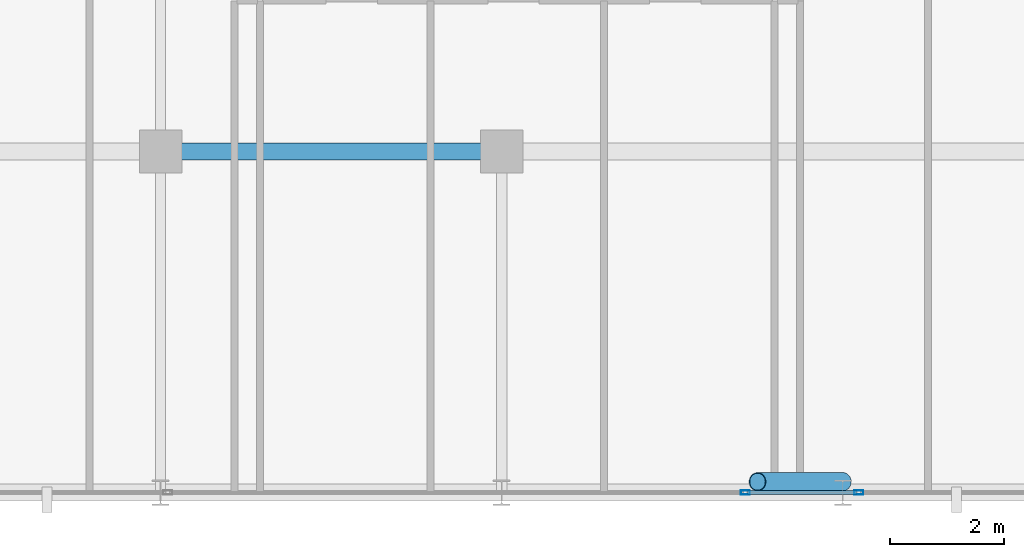
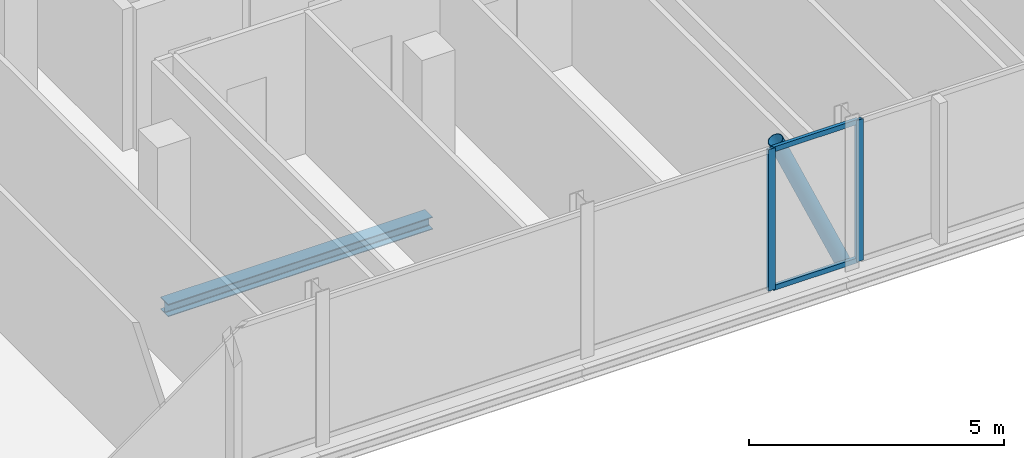
# One storey, part 10 of 29: 5 members, 1 beam, 2 elements without a shape of their own.
"""IFC4 building model written with IfcOpenShell, lengths in metres."""

from ifc_helpers import new_model, si_unit, direction, frame, origin, origin_2d, place, context, subcontext, project, spatial, hollow_rectangle, hollow_circle, i_section, extrude, material, layer, layer_set, material_profile, profile_set, type_object, element, aggregate, save


model = new_model("IFC4")

# Units and contexts
model_context = context("Model", 3, precision=1e-05, world=origin(), true_north=direction((0.0, 1.0)))
body_context = subcontext(model_context, "Body", "Model", "MODEL_VIEW")
ifc_project = project(units=[si_unit("LENGTHUNIT", "METRE"), si_unit("AREAUNIT", "SQUARE_METRE"), si_unit("VOLUMEUNIT", "CUBIC_METRE"), si_unit("PLANEANGLEUNIT", "RADIAN"), si_unit("MASSUNIT", "GRAM", prefix="KILO")], contexts=[model_context])

# Site, building, storey
site_placement = place(None, origin())
site = spatial("IfcSite", under=ifc_project, at=site_placement, CompositionType="ELEMENT")
building_placement = place(site_placement, origin())
building = spatial("IfcBuilding", under=site, at=building_placement, Name="Keshet Zoharim Tower", CompositionType="ELEMENT")
storey_placement = place(building_placement, frame((0.0, 0.0, 210.60009765625)))
storey = spatial("IfcBuildingStorey", under=building, at=storey_placement, Name="L52", CompositionType="ELEMENT", Elevation=210.60009765625)

# Beam
ifc_material_1 = material(Name="Steel S355", Category="steel")
ifc_material_profile_1 = material_profile(ifc_material_1, i_section(OverallWidth=0.300048828125, OverallDepth=0.300048828125, WebThickness=0.010986328125, FlangeThickness=0.01904296875, FilletRadius=0.027099609375, at=origin_2d()), Name="HEB300")
ifc_profile_set_1 = profile_set([ifc_material_profile_1], Name="Steel S355")
beam_type = type_object("IfcBeamType", Name="BM-PRI-HB300", PredefinedType="BEAM", material=ifc_profile_set_1)
beam_placement = place(storey_placement, frame((33.0, 6.699951171875, -0.460205078125), z_axis=(1.0, 0.0, 0.0), x_axis=(0.0, 1.0, 0.0)))
element("IfcBeam", 1, at=beam_placement, inside=storey, type_object=beam_type, Name="L52 Primary Girder X-007", PredefinedType="BEAM", context=body_context, shape_type="SweptSolid", body=[
    extrude(i_section(OverallWidth=0.300048828125, OverallDepth=0.300048828125, WebThickness=0.010986328125, FlangeThickness=0.01904296875, FilletRadius=0.027099609375, at=origin_2d()), origin(), (0.0, 0.0, 1.0), 6.0),
])

# Curtain wall, member
ifc_material_2 = material(Name="Aluminium 6063-T6", Category="aluminium")
ifc_layer = layer(ifc_material_2, 0.139892578125)
ifc_layer_set = layer_set([ifc_layer], Name="Aluminium 6063-T6")
curtain_wall_type = type_object("IfcCurtainWallType", Name="CW-SYS-05", PredefinedType="NOTDEFINED", material=ifc_layer_set)
curtain_wall_1_placement = place(storey_placement, origin())
curtain_wall_1 = element("IfcCurtainWall", 2, at=curtain_wall_1_placement, inside=storey, type_object=curtain_wall_type, Name="L52 Unitised Curtain Wall 06", PredefinedType="NOTDEFINED")
ifc_material_profile_2 = material_profile(ifc_material_2, hollow_rectangle(XDim=0.074951171875, YDim=0.159912109375, WallThickness=0.00390625, at=origin_2d()), Name="MUL-75x160")
ifc_profile_set_2 = profile_set([ifc_material_profile_2], Name="Aluminium 6063-T6")
member_type_1 = type_object("IfcMemberType", Name="CWM-M15", PredefinedType="MULLION", material=ifc_profile_set_2)
member_1_placement = place(storey_placement, frame((45.283203125, 0.699951171875, 0.0), z_axis=(0.0, 0.0, 1.0), x_axis=(0.0, -1.0, 0.0)))
member_1 = element("IfcMember", 3, at=member_1_placement, type_object=member_type_1, Name="CW-05 mullion 2", PredefinedType="MULLION", context=body_context, shape_type="SweptSolid", body=[
    extrude(hollow_rectangle(XDim=0.074951171875, YDim=0.159912109375, WallThickness=0.00390625, at=origin_2d()), origin(), (0.0, 0.0, 1.0), 3.389892578125),
])
aggregate(curtain_wall_1, [member_1])

# Curtain wall, members
curtain_wall_2_placement = place(storey_placement, origin())
curtain_wall_2 = element("IfcCurtainWall", 4, at=curtain_wall_2_placement, inside=storey, type_object=curtain_wall_type, Name="L52 Unitised Curtain Wall 06 Part 2", PredefinedType="NOTDEFINED")
member_2_placement = place(storey_placement, frame((43.286865234375, 0.699951171875, 0.0), z_axis=(0.0, 0.0, 1.0), x_axis=(0.0, -1.0, 0.0)))
member_2 = element("IfcMember", 5, at=member_2_placement, type_object=member_type_1, Name="CW-05 mullion 2", PredefinedType="MULLION", context=body_context, shape_type="SweptSolid", body=[
    extrude(hollow_rectangle(XDim=0.074951171875, YDim=0.159912109375, WallThickness=0.00390625, at=origin_2d()), origin(), (0.0, 0.0, 1.0), 3.389892578125),
])
ifc_material_profile_3 = material_profile(ifc_material_2, hollow_rectangle(XDim=0.074951171875, YDim=0.1201171875, WallThickness=0.00390625, at=origin_2d()), Name="TRN-75x120")
ifc_profile_set_3 = profile_set([ifc_material_profile_3], Name="Aluminium 6063-T6")
member_type_2 = type_object("IfcMemberType", Name="CWT-T12", PredefinedType="USERDEFINED", material=ifc_profile_set_3)
member_3_placement = place(storey_placement, frame((45.248046875, 0.699951171875, 0.034912109375), z_axis=(-1.0, 0.0, 0.0), x_axis=(0.0, -1.0, 0.0)))
member_3 = element("IfcMember", 6, at=member_3_placement, type_object=member_type_2, Name="CW-05 transom 1.1", ObjectType="TRANSOM", PredefinedType="USERDEFINED", context=body_context, shape_type="SweptSolid", body=[
    extrude(hollow_rectangle(XDim=0.074951171875, YDim=0.1201171875, WallThickness=0.00390625, at=origin_2d()), origin(), (0.0, 0.0, 1.0), 1.926025390625),
])
member_4_placement = place(storey_placement, frame((45.248046875, 0.699951171875, 3.35498046875), z_axis=(-1.0, 0.0, 0.0), x_axis=(0.0, -1.0, 0.0)))
member_4 = element("IfcMember", 7, at=member_4_placement, type_object=member_type_2, Name="CW-05 transom 1.2", ObjectType="TRANSOM", PredefinedType="USERDEFINED", context=body_context, shape_type="SweptSolid", body=[
    extrude(hollow_rectangle(XDim=0.074951171875, YDim=0.1201171875, WallThickness=0.00390625, at=origin_2d()), origin(), (0.0, 0.0, 1.0), 1.926025390625),
])
aggregate(curtain_wall_2, [member_2, member_3, member_4])

# Member
ifc_material_profile_4 = material_profile(ifc_material_1, hollow_circle(Radius=0.161865234375, WallThickness=0.012451171875, at=origin_2d()), Name="CHS323x12.5")
ifc_profile_set_4 = profile_set([ifc_material_profile_4], Name="Steel S355")
member_type_3 = type_object("IfcMemberType", Name="MB-BR-C323", PredefinedType="BRACE", material=ifc_profile_set_4)
member_5_placement = place(storey_placement, frame((45.0, 0.889892578125, 0.0), z_axis=(-0.40464689807, 0.0, 0.914473011019), x_axis=(0.0, -1.0, 0.0)))
element("IfcMember", 8, at=member_5_placement, inside=storey, type_object=member_type_3, Name="L52 Perimeter Tube Brace 03", PredefinedType="BRACE", context=body_context, shape_type="SweptSolid", body=[
    extrude(hollow_circle(Radius=0.161865234375, WallThickness=0.012451171875, at=origin_2d()), origin(), (0.0, 0.0, 1.0), 3.70703125),
])

save(model, "model.ifc")
